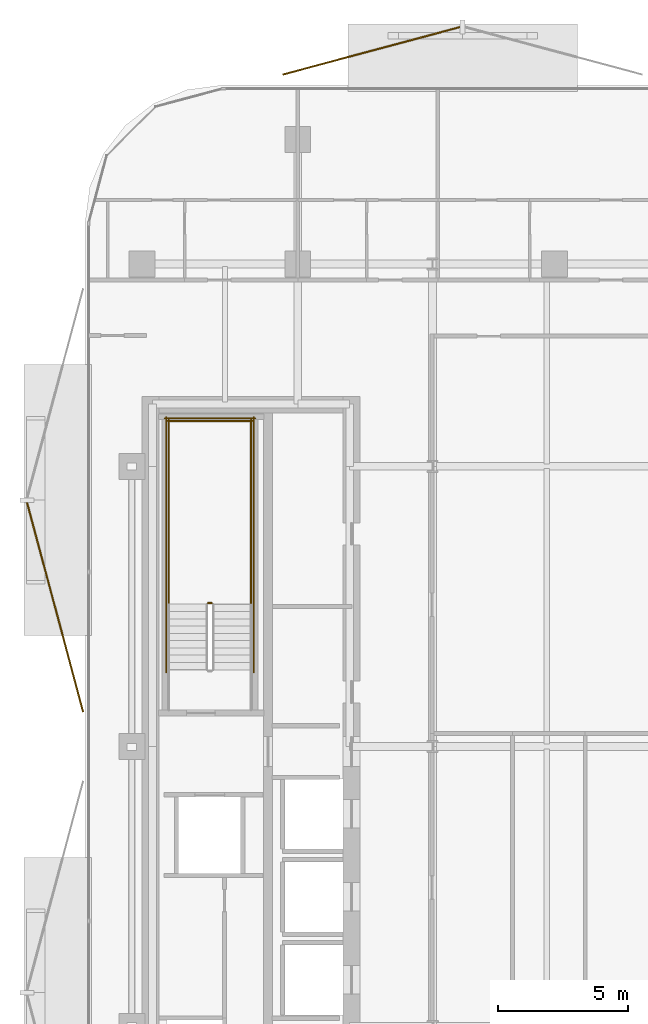
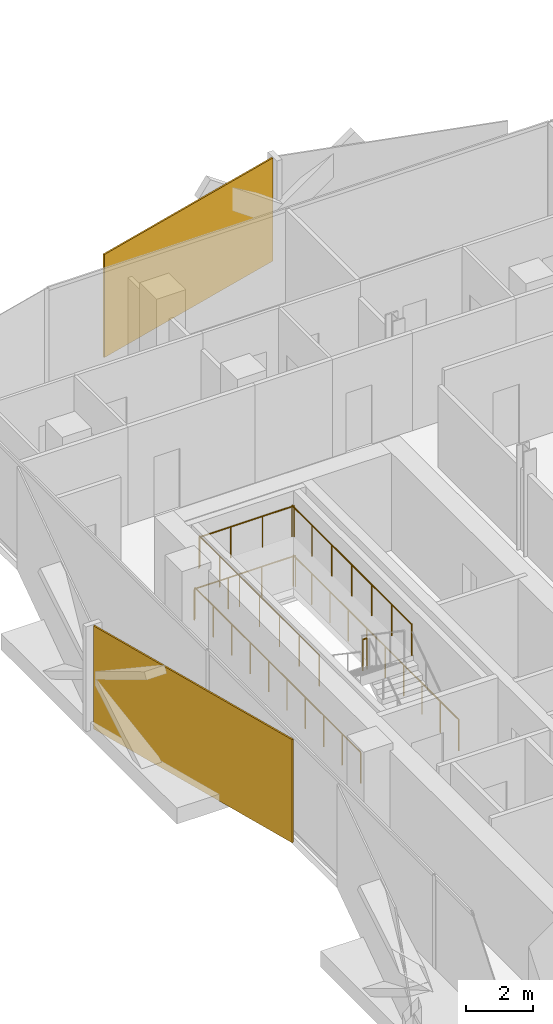
# One storey, part 16 of 17: 7 railings, 2 coverings.
"""IFC4 building model written with IfcOpenShell, lengths in metres."""

from ifc_helpers import new_model, si_unit, direction, frame, origin, origin_2d, place, context, subcontext, project, spatial, rectangle, circle, extrude, material, layer, layer_set, type_object, element, save


model = new_model("IFC4")

# Units and contexts
model_context = context("Model", 3, precision=1e-05, world=origin(), true_north=direction((0.0, 1.0)))
body_context = subcontext(model_context, "Body", "Model", "MODEL_VIEW")
ifc_project = project(units=[si_unit("LENGTHUNIT", "METRE"), si_unit("AREAUNIT", "SQUARE_METRE"), si_unit("VOLUMEUNIT", "CUBIC_METRE"), si_unit("PLANEANGLEUNIT", "RADIAN"), si_unit("MASSUNIT", "GRAM", prefix="KILO")], contexts=[model_context])

# Site, building, storey
site_placement = place(None, origin())
site = spatial("IfcSite", under=ifc_project, at=site_placement, CompositionType="ELEMENT")
building_placement = place(site_placement, origin())
building = spatial("IfcBuilding", under=site, at=building_placement, Name="Khairoan Windgate Tower", CompositionType="ELEMENT")
storey_placement = place(building_placement, frame((0.0, 0.0, 176.39990234375)))
storey = spatial("IfcBuildingStorey", under=building, at=storey_placement, Name="L40", CompositionType="ELEMENT", Elevation=176.39990234375)

# Coverings
ifc_material_1 = material(Name="Anodised Bronze Aluminium 6063-T6", Category="aluminium")
ifc_layer = layer(ifc_material_1, 0.054931640625, Name="Anodised Bronze Aluminium 6063-T6")
ifc_layer_set = layer_set([ifc_layer], Name="Anodised Bronze Aluminium 6063-T6")
covering_type = type_object("IfcCoveringType", Name="Perforated Bronze-Ceramic Folded Solar Screen Cladding BSC-1", PredefinedType="CLADDING", material=ifc_layer_set)
covering_1_placement = place(storey_placement, frame((-23.7587890625, 5.369873046875, -0.10009765625), z_axis=(0.0, 0.0, 1.0), x_axis=(-0.258819045103, 0.965925826289, 0.0)))
element("IfcCovering", 1, at=covering_1_placement, inside=storey, type_object=covering_type, Name="L40 Folded Bronze Solar Screen Facet 260L", PredefinedType="CLADDING", context=body_context, shape_type="SweptSolid", body=[
    extrude(rectangle(XDim=8.35595703125, YDim=0.054931640625, at=origin_2d()), origin(), (0.0, 0.0, 1.0), 3.739990234375),
])
covering_2_placement = place(storey_placement, frame((-11.5546875, 26.82373046875, -0.10009765625), z_axis=(0.0, 0.0, 1.0), x_axis=(0.965925826289, 0.258819045103, 0.0)))
element("IfcCovering", 2, at=covering_2_placement, inside=storey, type_object=covering_type, Name="L40 Folded Bronze Solar Screen Facet 261L", PredefinedType="CLADDING", context=body_context, shape_type="SweptSolid", body=[
    extrude(rectangle(XDim=7.080078125, YDim=0.054931640625, at=origin_2d()), origin(), (0.0, 0.0, 1.0), 3.739990234375),
])

# Railings
ifc_material_2 = material(Name="Steel S355", Category="steel")
railing_type = type_object("IfcRailingType", Name="Stairwell Safety Guardrail SGR-1150", PredefinedType="GUARDRAIL", material=ifc_material_2)
railing_1_placement = place(storey_placement, frame((-17.7099609375, 5.530029296875, 1.900146484375)))
element("IfcRailing", 3, at=railing_1_placement, inside=storey, type_object=railing_type, Name="L40 ST2 stair guard 2", PredefinedType="GUARDRAIL", context=body_context, shape_type="SweptSolid", body=[
    extrude(circle(Radius=0.02392578125, at=origin_2d()), frame((0.0, 0.0, 1.1259765625), z_axis=(-1.0, 0.0, 0.0), x_axis=(0.0, -1.0, 0.0)), (0.0, 0.0, 1.0), 0.150146484375),
    extrude(circle(Radius=0.02099609375, at=origin_2d()), origin(), (0.0, 0.0, 1.0), 1.101806640625),
    extrude(circle(Radius=0.02099609375, at=origin_2d()), frame((-0.150146484375, 0.0, 0.0)), (0.0, 0.0, 1.0), 1.101806640625),
])
for number, where, name in (
    (4, (-16.199951171875, 5.47998046875, 1.900146484375), "L40 ST2 stair guard 3"),
    (5, (-19.3701171875, 5.47998046875, 1.900146484375), "L40 ST2 stair guard 4"),
):
    element("IfcRailing", number, at=place(storey_placement, frame(where)), inside=storey, type_object=railing_type, Name=name, PredefinedType="GUARDRAIL", context=body_context, shape_type="SweptSolid", body=[
        extrude(circle(Radius=0.02392578125, at=origin_2d()), frame((0.0, 0.0, 1.1259765625), z_axis=(0.0, 1.0, 0.0), x_axis=(-1.0, 0.0, 0.0)), (0.0, 0.0, 1.0), 7.1201171875),
        extrude(circle(Radius=0.02099609375, at=origin_2d()), origin(), (0.0, 0.0, 1.0), 1.101806640625),
        extrude(circle(Radius=0.02099609375, at=origin_2d()), frame((0.0, 1.186767578125, 0.0)), (0.0, 0.0, 1.0), 1.101806640625),
        extrude(circle(Radius=0.02099609375, at=origin_2d()), frame((0.0, 2.373291015625, 0.0)), (0.0, 0.0, 1.0), 1.101806640625),
        extrude(circle(Radius=0.02099609375, at=origin_2d()), frame((0.0, 3.56005859375, 0.0)), (0.0, 0.0, 1.0), 1.101806640625),
        extrude(circle(Radius=0.02099609375, at=origin_2d()), frame((0.0, 4.746826171875, 0.0)), (0.0, 0.0, 1.0), 1.101806640625),
        extrude(circle(Radius=0.02099609375, at=origin_2d()), frame((0.0, 5.933349609375, 0.0)), (0.0, 0.0, 1.0), 1.101806640625),
        extrude(circle(Radius=0.02099609375, at=origin_2d()), frame((0.0, 7.1201171875, 0.0)), (0.0, 0.0, 1.0), 1.101806640625),
    ])
railing_2_placement = place(storey_placement, frame((-16.14990234375, 12.550048828125, 1.900146484375)))
element("IfcRailing", 6, at=railing_2_placement, inside=storey, type_object=railing_type, Name="L40 ST2 stair guard 5", PredefinedType="GUARDRAIL", context=body_context, shape_type="SweptSolid", body=[
    extrude(circle(Radius=0.02392578125, at=origin_2d()), frame((0.0, 0.0, 1.1259765625), z_axis=(-1.0, 0.0, 0.0), x_axis=(0.0, -1.0, 0.0)), (0.0, 0.0, 1.0), 3.27001953125),
    extrude(circle(Radius=0.02099609375, at=origin_2d()), origin(), (0.0, 0.0, 1.0), 1.101806640625),
    extrude(circle(Radius=0.02099609375, at=origin_2d()), frame((-1.090087890625, 0.0, 0.0)), (0.0, 0.0, 1.0), 1.101806640625),
    extrude(circle(Radius=0.02099609375, at=origin_2d()), frame((-2.179931640625, 0.0, 0.0)), (0.0, 0.0, 1.0), 1.101806640625),
    extrude(circle(Radius=0.02099609375, at=origin_2d()), frame((-3.27001953125, 0.0, 0.0)), (0.0, 0.0, 1.0), 1.101806640625),
])
for number, where, name in (
    (7, (-16.10009765625, 2.860107421875, 0.0), "L40 ST2 stair guard 10"),
    (8, (-19.469970703125, 2.860107421875, 0.0), "L40 ST2 stair guard 11"),
):
    element("IfcRailing", number, at=place(storey_placement, frame(where)), inside=storey, type_object=railing_type, Name=name, PredefinedType="GUARDRAIL", context=body_context, shape_type="SweptSolid", body=[
        extrude(circle(Radius=0.02392578125, at=origin_2d()), frame((0.0, 0.0, 1.1259765625), z_axis=(0.0, 1.0, 0.0), x_axis=(-1.0, 0.0, 0.0)), (0.0, 0.0, 1.0), 9.83984375),
        extrude(circle(Radius=0.02099609375, at=origin_2d()), origin(), (0.0, 0.0, 1.0), 1.101806640625),
        extrude(circle(Radius=0.02099609375, at=origin_2d()), frame((0.0, 1.09326171875, 0.0)), (0.0, 0.0, 1.0), 1.101806640625),
        extrude(circle(Radius=0.02099609375, at=origin_2d()), frame((0.0, 2.1865234375, 0.0)), (0.0, 0.0, 1.0), 1.101806640625),
        extrude(circle(Radius=0.02099609375, at=origin_2d()), frame((0.0, 3.280029296875, 0.0)), (0.0, 0.0, 1.0), 1.101806640625),
        extrude(circle(Radius=0.02099609375, at=origin_2d()), frame((0.0, 4.373291015625, 0.0)), (0.0, 0.0, 1.0), 1.101806640625),
        extrude(circle(Radius=0.02099609375, at=origin_2d()), frame((0.0, 5.466552734375, 0.0)), (0.0, 0.0, 1.0), 1.101806640625),
        extrude(circle(Radius=0.02099609375, at=origin_2d()), frame((0.0, 6.559814453125, 0.0)), (0.0, 0.0, 1.0), 1.101806640625),
        extrude(circle(Radius=0.02099609375, at=origin_2d()), frame((0.0, 7.6533203125, 0.0)), (0.0, 0.0, 1.0), 1.101806640625),
        extrude(circle(Radius=0.02099609375, at=origin_2d()), frame((0.0, 8.74658203125, 0.0)), (0.0, 0.0, 1.0), 1.101806640625),
        extrude(circle(Radius=0.02099609375, at=origin_2d()), frame((0.0, 9.83984375, 0.0)), (0.0, 0.0, 1.0), 1.101806640625),
    ])
railing_3_placement = place(storey_placement, frame((-16.050048828125, 12.64990234375, 0.0)))
element("IfcRailing", 9, at=railing_3_placement, inside=storey, type_object=railing_type, Name="L40 ST2 stair guard 12", PredefinedType="GUARDRAIL", context=body_context, shape_type="SweptSolid", body=[
    extrude(circle(Radius=0.02392578125, at=origin_2d()), frame((0.0, 0.0, 1.1259765625), z_axis=(-1.0, 0.0, 0.0), x_axis=(0.0, -1.0, 0.0)), (0.0, 0.0, 1.0), 3.469970703125),
    extrude(circle(Radius=0.02099609375, at=origin_2d()), origin(), (0.0, 0.0, 1.0), 1.101806640625),
    extrude(circle(Radius=0.02099609375, at=origin_2d()), frame((-1.15673828125, 0.0, 0.0)), (0.0, 0.0, 1.0), 1.101806640625),
    extrude(circle(Radius=0.02099609375, at=origin_2d()), frame((-2.313232421875, 0.0, 0.0)), (0.0, 0.0, 1.0), 1.101806640625),
    extrude(circle(Radius=0.02099609375, at=origin_2d()), frame((-3.469970703125, 0.0, 0.0)), (0.0, 0.0, 1.0), 1.101806640625),
])

save(model, "model.ifc")
